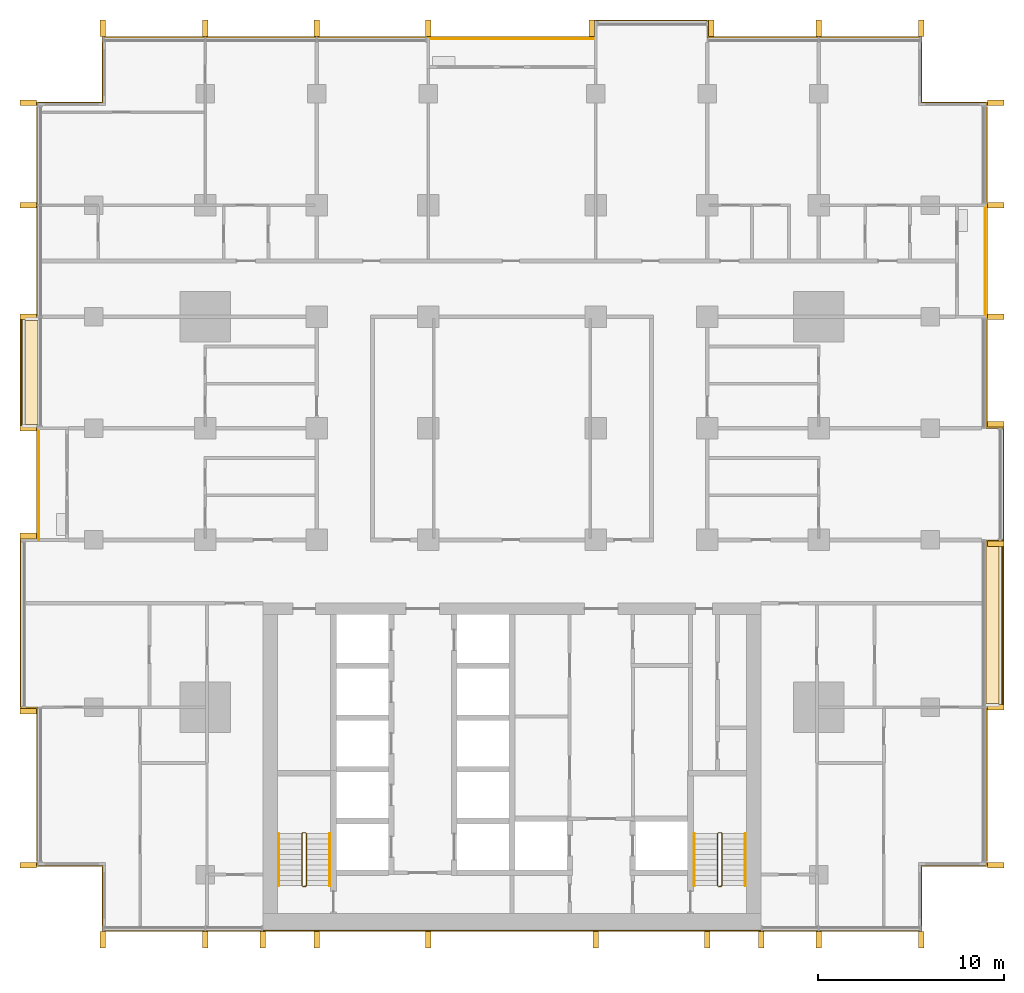
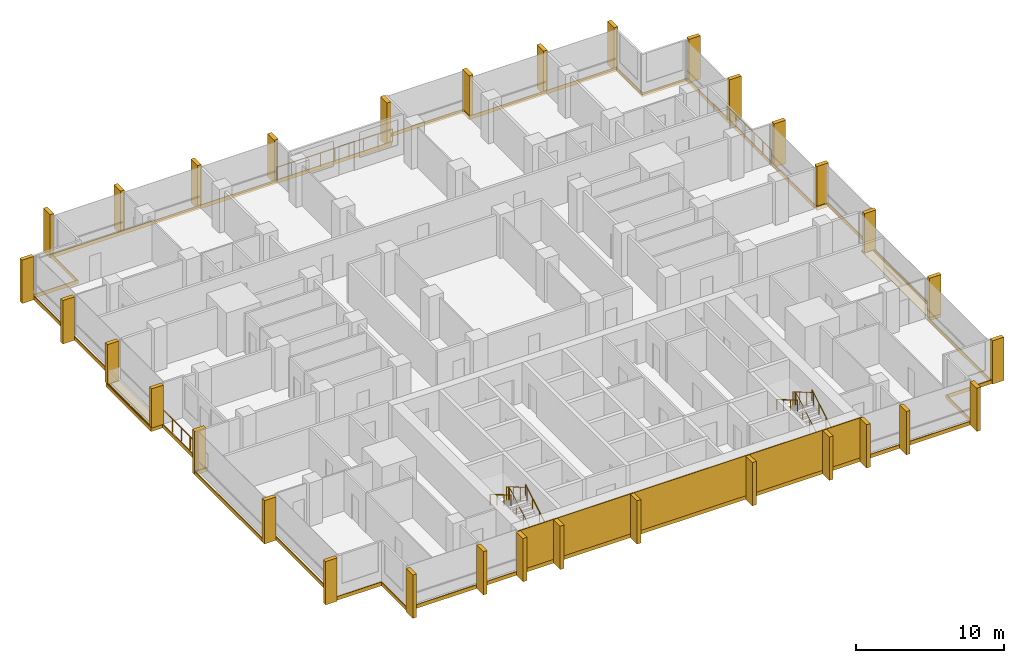
# One storey, part 17 of 17: 32 shading devices, 10 coverings, 9 railings.
"""IFC4 building model written with IfcOpenShell, lengths in metres."""

from ifc_helpers import new_model, si_unit, direction, frame, origin, origin_2d, place, context, subcontext, project, spatial, polyline, rectangle, circle, outline, extrude, material, layer, layer_set, type_object, element, save


model = new_model("IFC4")

# Units and contexts
model_context = context("Model", 3, precision=1e-05, world=origin(), true_north=direction((0.0, 1.0)))
body_context = subcontext(model_context, "Body", "Model", "MODEL_VIEW")
ifc_project = project(units=[si_unit("LENGTHUNIT", "METRE"), si_unit("AREAUNIT", "SQUARE_METRE"), si_unit("VOLUMEUNIT", "CUBIC_METRE"), si_unit("PLANEANGLEUNIT", "RADIAN"), si_unit("MASSUNIT", "GRAM", prefix="KILO")], contexts=[model_context])

# Site, building, storey
site_placement = place(None, origin())
site = spatial("IfcSite", under=ifc_project, at=site_placement, CompositionType="ELEMENT")
building_placement = place(site_placement, origin())
building = spatial("IfcBuilding", under=site, at=building_placement, Name="Finial Court Residences", CompositionType="ELEMENT")
storey_placement = place(building_placement, frame((0.0, 0.0, 113.5)))
storey = spatial("IfcBuildingStorey", under=building, at=storey_placement, Name="L28", CompositionType="ELEMENT", Elevation=113.5)

# Railings
ifc_material_1 = material(Name="Bronze anodised aluminium", Category="aluminium")
railing_type_1 = type_object("IfcRailingType", Name="Balcony guard 1100", PredefinedType="GUARDRAIL", material=ifc_material_1)
railing_1_placement = place(storey_placement, frame((-4.5, 22.449951171875, 0.0)))
element("IfcRailing", 1, at=railing_1_placement, inside=storey, type_object=railing_type_1, Name="E-L28-BALN4-R", PredefinedType="GUARDRAIL", context=body_context, shape_type="SweptSolid", body=[
    extrude(circle(Radius=0.02392578125, at=origin_2d()), frame((0.0, 0.0, 1.076171875), z_axis=(1.0, 0.0, 0.0), x_axis=(0.0, 1.0, 0.0)), (0.0, 0.0, 1.0), 9.0),
    extrude(circle(Radius=0.02099609375, at=origin_2d()), origin(), (0.0, 0.0, 1.0), 1.052001953125),
    extrude(circle(Radius=0.02099609375, at=origin_2d()), frame((1.125, 0.0, 0.0)), (0.0, 0.0, 1.0), 1.052001953125),
    extrude(circle(Radius=0.02099609375, at=origin_2d()), frame((2.25, 0.0, 0.0)), (0.0, 0.0, 1.0), 1.052001953125),
    extrude(circle(Radius=0.02099609375, at=origin_2d()), frame((3.375, 0.0, 0.0)), (0.0, 0.0, 1.0), 1.052001953125),
    extrude(circle(Radius=0.02099609375, at=origin_2d()), frame((4.5, 0.0, 0.0)), (0.0, 0.0, 1.0), 1.052001953125),
    extrude(circle(Radius=0.02099609375, at=origin_2d()), frame((5.625, 0.0, 0.0)), (0.0, 0.0, 1.0), 1.052001953125),
    extrude(circle(Radius=0.02099609375, at=origin_2d()), frame((6.75, 0.0, 0.0)), (0.0, 0.0, 1.0), 1.052001953125),
    extrude(circle(Radius=0.02099609375, at=origin_2d()), frame((7.875, 0.0, 0.0)), (0.0, 0.0, 1.0), 1.052001953125),
    extrude(circle(Radius=0.02099609375, at=origin_2d()), frame((9.0, 0.0, 0.0)), (0.0, 0.0, 1.0), 1.052001953125),
])
for number, where, name in (
    (2, (25.449951171875, 7.5, 0.0), "E-L28-BALE5-R"),
    (3, (-25.449951171875, -4.5, 0.0), "E-L28-BALW3-R"),
):
    element("IfcRailing", number, at=place(storey_placement, frame(where)), inside=storey, type_object=railing_type_1, Name=name, PredefinedType="GUARDRAIL", context=body_context, shape_type="SweptSolid", body=[
        extrude(circle(Radius=0.02392578125, at=origin_2d()), frame((0.0, 0.0, 1.076171875), z_axis=(0.0, 1.0, 0.0), x_axis=(-1.0, 0.0, 0.0)), (0.0, 0.0, 1.0), 6.0),
        extrude(circle(Radius=0.02099609375, at=origin_2d()), origin(), (0.0, 0.0, 1.0), 1.052001953125),
        extrude(circle(Radius=0.02099609375, at=origin_2d()), frame((0.0, 1.199951171875, 0.0)), (0.0, 0.0, 1.0), 1.052001953125),
        extrude(circle(Radius=0.02099609375, at=origin_2d()), frame((0.0, 2.39990234375, 0.0)), (0.0, 0.0, 1.0), 1.052001953125),
        extrude(circle(Radius=0.02099609375, at=origin_2d()), frame((0.0, 3.60009765625, 0.0)), (0.0, 0.0, 1.0), 1.052001953125),
        extrude(circle(Radius=0.02099609375, at=origin_2d()), frame((0.0, 4.800048828125, 0.0)), (0.0, 0.0, 1.0), 1.052001953125),
        extrude(circle(Radius=0.02099609375, at=origin_2d()), frame((0.0, 6.0, 0.0)), (0.0, 0.0, 1.0), 1.052001953125),
    ])

# Coverings
ifc_material_2 = material(Name="Natural limestone", Category="masonry")
ifc_layer_1 = layer(ifc_material_2, 0.06005859375)
ifc_layer_set_1 = layer_set([ifc_layer_1], Name="Limestone cladding to the blind core face 60")
covering_type_1 = type_object("IfcCoveringType", Name="Limestone cladding to the blind core face 60", PredefinedType="CLADDING", material=ifc_layer_set_1)
covering_1_placement = place(storey_placement, origin())
element("IfcCovering", 4, at=covering_1_placement, inside=storey, type_object=covering_type_1, Name="E-L28-CLAD1", PredefinedType="CLADDING", context=body_context, shape_type="SweptSolid", body=[
    extrude(outline(polyline([(-10.5, -25.56005859375), (-10.5, -25.5), (-13.39990234375, -25.5), (-13.39990234375, -25.56005859375), (-10.5, -25.56005859375)])), origin(), (0.0, 0.0, 1.0), 3.300048828125),
])
covering_2_placement = place(storey_placement, origin())
element("IfcCovering", 5, at=covering_2_placement, inside=storey, type_object=covering_type_1, Name="E-L28-CLAD2", PredefinedType="CLADDING", context=body_context, shape_type="SweptSolid", body=[
    extrude(outline(polyline([(-4.5, -25.56005859375), (-4.5, -25.5), (-10.5, -25.5), (-10.5, -25.56005859375), (-4.5, -25.56005859375)])), origin(), (0.0, 0.0, 1.0), 3.300048828125),
])
covering_3_placement = place(storey_placement, origin())
element("IfcCovering", 6, at=covering_3_placement, inside=storey, type_object=covering_type_1, Name="E-L28-CLAD3", PredefinedType="CLADDING", context=body_context, shape_type="SweptSolid", body=[
    extrude(outline(polyline([(4.5, -25.56005859375), (4.5, -25.5), (-4.5, -25.5), (-4.5, -25.56005859375), (4.5, -25.56005859375)])), origin(), (0.0, 0.0, 1.0), 3.300048828125),
])
covering_4_placement = place(storey_placement, origin())
element("IfcCovering", 7, at=covering_4_placement, inside=storey, type_object=covering_type_1, Name="E-L28-CLAD4", PredefinedType="CLADDING", context=body_context, shape_type="SweptSolid", body=[
    extrude(outline(polyline([(10.5, -25.56005859375), (10.5, -25.5), (4.5, -25.5), (4.5, -25.56005859375), (10.5, -25.56005859375)])), origin(), (0.0, 0.0, 1.0), 3.300048828125),
])
covering_5_placement = place(storey_placement, origin())
element("IfcCovering", 8, at=covering_5_placement, inside=storey, type_object=covering_type_1, Name="E-L28-CLAD5", PredefinedType="CLADDING", context=body_context, shape_type="SweptSolid", body=[
    extrude(outline(polyline([(13.39990234375, -25.56005859375), (13.39990234375, -25.5), (10.5, -25.5), (10.5, -25.56005859375), (13.39990234375, -25.56005859375)])), origin(), (0.0, 0.0, 1.0), 3.300048828125),
])

# Shading devices
shading_device_type = type_object("IfcShadingDeviceType", Name="Limestone fin 300 x 900", PredefinedType="USERDEFINED", material=ifc_material_2)
for number, where, z_axis, x_axis, name in (
    (9, (-22.0, 23.010009765625, -0.300048828125), (0.0, 0.0, 1.0), (1.0, 0.0, 0.0), "E-L28-FIN-N1"),
    (10, (-16.5, 23.010009765625, -0.300048828125), (0.0, 0.0, 1.0), (1.0, 0.0, 0.0), "E-L28-FIN-N2"),
    (11, (-10.5, 23.010009765625, -0.300048828125), (0.0, 0.0, 1.0), (1.0, 0.0, 0.0), "E-L28-FIN-N3"),
    (12, (-4.5, 23.010009765625, -0.300048828125), (0.0, 0.0, 1.0), (1.0, 0.0, 0.0), "E-L28-FIN-N4"),
    (13, (4.2900390625, 23.010009765625, -0.300048828125), (0.0, 0.0, 1.0), (1.0, 0.0, 0.0), "E-L28-FIN-N5"),
    (14, (10.7099609375, 23.010009765625, -0.300048828125), (0.0, 0.0, 1.0), (1.0, 0.0, 0.0), "E-L28-FIN-N6"),
    (15, (16.5, 23.010009765625, -0.300048828125), (0.0, 0.0, 1.0), (1.0, 0.0, 0.0), "E-L28-FIN-N7"),
    (16, (22.0, 23.010009765625, -0.300048828125), (0.0, 0.0, 1.0), (1.0, 0.0, 0.0), "E-L28-FIN-N8"),
):
    element("IfcShadingDevice", number, at=place(storey_placement, frame(where, z_axis=z_axis, x_axis=x_axis)), inside=storey, type_object=shading_device_type, Name=name, ObjectType="FIN", PredefinedType="USERDEFINED", context=body_context, shape_type="SweptSolid", body=[
        extrude(rectangle(XDim=0.300048828125, YDim=0.89990234375, at=origin_2d()), origin(), (0.0, 0.0, 1.0), 3.580078125),
    ])
shading_device_placement = place(storey_placement, frame((26.010009765625, -22.0, -0.300048828125), z_axis=(0.0, 0.0, 1.0), x_axis=(1.0, 0.0, 0.0)))
element("IfcShadingDevice", 17, at=shading_device_placement, inside=storey, type_object=shading_device_type, Name="E-L28-FIN-E9", ObjectType="FIN", PredefinedType="USERDEFINED", context=body_context, shape_type="SweptSolid", body=[
    extrude(rectangle(XDim=0.89990234375, YDim=0.300048828125, at=origin_2d()), origin(), (0.0, 0.0, 1.0), 3.580078125),
])
for number, where, z_axis, x_axis, name in (
    (18, (26.010009765625, -13.5, 0.0400390625), (0.0, 0.0, 1.0), (1.0, 0.0, 0.0), "E-L28-FIN-E10"),
    (19, (26.010009765625, -4.7099609375, 0.0400390625), (0.0, 0.0, 1.0), (1.0, 0.0, 0.0), "E-L28-FIN-E11"),
):
    element("IfcShadingDevice", number, at=place(storey_placement, frame(where, z_axis=z_axis, x_axis=x_axis)), inside=storey, type_object=shading_device_type, Name=name, ObjectType="FIN", PredefinedType="USERDEFINED", context=body_context, shape_type="SweptSolid", body=[
        extrude(rectangle(XDim=0.89990234375, YDim=0.300048828125, at=origin_2d()), origin(), (0.0, 0.0, 1.0), 3.239990234375),
    ])
for number, where, z_axis, x_axis, name in (
    (20, (26.010009765625, 1.7099609375, -0.300048828125), (0.0, 0.0, 1.0), (1.0, 0.0, 0.0), "E-L28-FIN-E12"),
    (21, (26.010009765625, 7.5, -0.300048828125), (0.0, 0.0, 1.0), (1.0, 0.0, 0.0), "E-L28-FIN-E13"),
    (22, (26.010009765625, 13.5, -0.300048828125), (0.0, 0.0, 1.0), (1.0, 0.0, 0.0), "E-L28-FIN-E14"),
    (23, (26.010009765625, 19.0, -0.300048828125), (0.0, 0.0, 1.0), (1.0, 0.0, 0.0), "E-L28-FIN-E15"),
):
    element("IfcShadingDevice", number, at=place(storey_placement, frame(where, z_axis=z_axis, x_axis=x_axis)), inside=storey, type_object=shading_device_type, Name=name, ObjectType="FIN", PredefinedType="USERDEFINED", context=body_context, shape_type="SweptSolid", body=[
        extrude(rectangle(XDim=0.89990234375, YDim=0.300048828125, at=origin_2d()), origin(), (0.0, 0.0, 1.0), 3.580078125),
    ])
for number, where, z_axis, x_axis, name in (
    (24, (-22.0, -26.010009765625, -0.300048828125), (0.0, 0.0, 1.0), (1.0, 0.0, 0.0), "E-L28-FIN-S16"),
    (25, (-16.5, -26.010009765625, -0.300048828125), (0.0, 0.0, 1.0), (1.0, 0.0, 0.0), "E-L28-FIN-S17"),
    (26, (-13.39990234375, -26.010009765625, -0.300048828125), (0.0, 0.0, 1.0), (1.0, 0.0, 0.0), "E-L28-FIN-S18"),
    (27, (-10.5, -26.010009765625, -0.300048828125), (0.0, 0.0, 1.0), (1.0, 0.0, 0.0), "E-L28-FIN-S19"),
    (28, (-4.5, -26.010009765625, -0.300048828125), (0.0, 0.0, 1.0), (1.0, 0.0, 0.0), "E-L28-FIN-S20"),
    (29, (4.5, -26.010009765625, -0.300048828125), (0.0, 0.0, 1.0), (1.0, 0.0, 0.0), "E-L28-FIN-S21"),
    (30, (10.5, -26.010009765625, -0.300048828125), (0.0, 0.0, 1.0), (1.0, 0.0, 0.0), "E-L28-FIN-S22"),
    (31, (13.39990234375, -26.010009765625, -0.300048828125), (0.0, 0.0, 1.0), (1.0, 0.0, 0.0), "E-L28-FIN-S23"),
    (32, (16.5, -26.010009765625, -0.300048828125), (0.0, 0.0, 1.0), (1.0, 0.0, 0.0), "E-L28-FIN-S24"),
    (33, (22.0, -26.010009765625, -0.300048828125), (0.0, 0.0, 1.0), (1.0, 0.0, 0.0), "E-L28-FIN-S25"),
):
    element("IfcShadingDevice", number, at=place(storey_placement, frame(where, z_axis=z_axis, x_axis=x_axis)), inside=storey, type_object=shading_device_type, Name=name, ObjectType="FIN", PredefinedType="USERDEFINED", context=body_context, shape_type="SweptSolid", body=[
        extrude(rectangle(XDim=0.300048828125, YDim=0.89990234375, at=origin_2d()), origin(), (0.0, 0.0, 1.0), 3.580078125),
    ])
for number, where, z_axis, x_axis, name in (
    (34, (-26.010009765625, -22.0, -0.300048828125), (0.0, 0.0, 1.0), (1.0, 0.0, 0.0), "E-L28-FIN-W26"),
    (35, (-26.010009765625, -13.7099609375, -0.300048828125), (0.0, 0.0, 1.0), (1.0, 0.0, 0.0), "E-L28-FIN-W27"),
    (36, (-26.010009765625, -4.2900390625, -0.300048828125), (0.0, 0.0, 1.0), (1.0, 0.0, 0.0), "E-L28-FIN-W28"),
):
    element("IfcShadingDevice", number, at=place(storey_placement, frame(where, z_axis=z_axis, x_axis=x_axis)), inside=storey, type_object=shading_device_type, Name=name, ObjectType="FIN", PredefinedType="USERDEFINED", context=body_context, shape_type="SweptSolid", body=[
        extrude(rectangle(XDim=0.89990234375, YDim=0.300048828125, at=origin_2d()), origin(), (0.0, 0.0, 1.0), 3.580078125),
    ])
for number, where, z_axis, x_axis, name in (
    (37, (-26.010009765625, 1.5, 0.0400390625), (0.0, 0.0, 1.0), (1.0, 0.0, 0.0), "E-L28-FIN-W29"),
    (38, (-26.010009765625, 7.5, 0.0400390625), (0.0, 0.0, 1.0), (1.0, 0.0, 0.0), "E-L28-FIN-W30"),
):
    element("IfcShadingDevice", number, at=place(storey_placement, frame(where, z_axis=z_axis, x_axis=x_axis)), inside=storey, type_object=shading_device_type, Name=name, ObjectType="FIN", PredefinedType="USERDEFINED", context=body_context, shape_type="SweptSolid", body=[
        extrude(rectangle(XDim=0.89990234375, YDim=0.300048828125, at=origin_2d()), origin(), (0.0, 0.0, 1.0), 3.239990234375),
    ])
for number, where, z_axis, x_axis, name in (
    (39, (-26.010009765625, 13.5, -0.300048828125), (0.0, 0.0, 1.0), (1.0, 0.0, 0.0), "E-L28-FIN-W31"),
    (40, (-26.010009765625, 19.0, -0.300048828125), (0.0, 0.0, 1.0), (1.0, 0.0, 0.0), "E-L28-FIN-W32"),
):
    element("IfcShadingDevice", number, at=place(storey_placement, frame(where, z_axis=z_axis, x_axis=x_axis)), inside=storey, type_object=shading_device_type, Name=name, ObjectType="FIN", PredefinedType="USERDEFINED", context=body_context, shape_type="SweptSolid", body=[
        extrude(rectangle(XDim=0.89990234375, YDim=0.300048828125, at=origin_2d()), origin(), (0.0, 0.0, 1.0), 3.580078125),
    ])

# Coverings
ifc_material_3 = material(Name="Pale limestone", Category="masonry")
ifc_layer_2 = layer(ifc_material_3, 0.06005859375)
ifc_layer_set_2 = layer_set([ifc_layer_2], Name="Pale limestone slab-edge band 60")
covering_type_2 = type_object("IfcCoveringType", Name="Pale limestone slab-edge band 60", PredefinedType="CLADDING", material=ifc_layer_set_2)
covering_6_placement = place(storey_placement, frame((0.0, 0.0, -0.300048828125)))
element("IfcCovering", 41, at=covering_6_placement, inside=storey, type_object=covering_type_2, Name="E-L28-BAND1", PredefinedType="CLADDING", context=body_context, shape_type="SweptSolid", body=[
    extrude(outline(polyline([(22.06005859375, -22.06005859375), (22.06005859375, -25.56005859375), (-22.06005859375, -25.56005859375), (-22.06005859375, -22.06005859375), (-25.56005859375, -22.06005859375), (-25.56005859375, -13.56005859375), (-26.4599609375, -13.56005859375), (-26.4599609375, -4.43994140625), (-25.56005859375, -4.43994140625), (-25.56005859375, 1.43994140625), (-26.4599609375, 1.43994140625), (-26.4599609375, 7.56005859375), (-25.56005859375, 7.56005859375), (-25.56005859375, 19.06005859375), (-22.06005859375, 19.06005859375), (-22.06005859375, 22.56005859375), (4.43994140625, 22.56005859375), (4.43994140625, 23.4599609375), (10.56005859375, 23.4599609375), (10.56005859375, 22.56005859375), (22.06005859375, 22.56005859375), (22.06005859375, 19.06005859375), (25.56005859375, 19.06005859375), (25.56005859375, 1.56005859375), (26.4599609375, 1.56005859375), (26.4599609375, -13.56005859375), (25.56005859375, -13.56005859375), (25.56005859375, -22.06005859375), (22.06005859375, -22.06005859375)]), holes=[polyline([(25.5, -13.5), (26.39990234375, -13.5), (26.39990234375, -4.5), (26.39990234375, 1.5), (25.5, 1.5), (25.5, 7.5), (25.5, 13.5), (25.5, 19.0), (22.0, 19.0), (22.0, 22.5), (10.5, 22.5), (10.5, 23.39990234375), (4.5, 23.39990234375), (4.5, 22.5), (-4.5, 22.5), (-22.0, 22.5), (-22.0, 19.0), (-25.5, 19.0), (-25.5, 7.5), (-26.39990234375, 7.5), (-26.39990234375, 1.5), (-25.5, 1.5), (-25.5, -4.5), (-26.39990234375, -4.5), (-26.39990234375, -13.5), (-25.5, -13.5), (-25.5, -22.0), (-22.0, -22.0), (-22.0, -25.5), (22.0, -25.5), (22.0, -22.0), (25.5, -22.0), (25.5, -13.5)])]), origin(), (0.0, 0.0, 1.0), 0.300048828125),
])
ifc_material_4 = material(Name="Bitumen membrane")
ifc_layer_3 = layer(ifc_material_4, 0.0400390625)
ifc_layer_set_3 = layer_set([ifc_layer_3], Name="Push box roofing, bitumen membrane 40")
covering_type_3 = type_object("IfcCoveringType", Name="Push box roofing, bitumen membrane 40", PredefinedType="ROOFING", material=ifc_layer_set_3)
covering_7_placement = place(storey_placement, origin())
element("IfcCovering", 42, at=covering_7_placement, inside=storey, type_object=covering_type_3, Name="E-L28-LED1", PredefinedType="ROOFING", context=body_context, shape_type="SweptSolid", body=[
    extrude(outline(polyline([(-25.5, 7.449951171875), (-26.199951171875, 7.449951171875), (-26.35009765625, 7.449951171875), (-26.35009765625, 1.699951171875), (-26.35009765625, 1.699951171875), (-26.35009765625, 1.550048828125), (-25.5, 1.550048828125), (-25.5, 1.5), (-26.39990234375, 1.5), (-26.39990234375, 7.5), (-25.5, 7.5), (-25.5, 7.449951171875)])), origin(), (0.0, 0.0, 1.0), 0.0400390625),
])
covering_8_placement = place(storey_placement, origin())
element("IfcCovering", 43, at=covering_8_placement, inside=storey, type_object=covering_type_3, Name="E-L28-LED1b", PredefinedType="ROOFING", context=body_context, shape_type="SweptSolid", body=[
    extrude(outline(polyline([(-25.5, 1.699951171875), (-26.199951171875, 1.699951171875), (-26.199951171875, 7.300048828125), (-25.5, 7.300048828125), (-25.5, 1.699951171875)])), origin(), (0.0, 0.0, 1.0), 0.0400390625),
])
covering_9_placement = place(storey_placement, origin())
element("IfcCovering", 44, at=covering_9_placement, inside=storey, type_object=covering_type_3, Name="E-L28-LED2", PredefinedType="ROOFING", context=body_context, shape_type="SweptSolid", body=[
    extrude(outline(polyline([(25.5, -13.449951171875), (26.199951171875, -13.449951171875), (26.35009765625, -13.449951171875), (26.35009765625, -4.5), (26.39990234375, -4.5), (26.39990234375, -13.5), (25.5, -13.5), (25.5, -13.449951171875)])), origin(), (0.0, 0.0, 1.0), 0.0400390625),
])
covering_10_placement = place(storey_placement, origin())
element("IfcCovering", 45, at=covering_10_placement, inside=storey, type_object=covering_type_3, Name="E-L28-LED2b", PredefinedType="ROOFING", context=body_context, shape_type="SweptSolid", body=[
    extrude(outline(polyline([(25.5, -4.5), (26.199951171875, -4.5), (26.199951171875, -13.300048828125), (25.5, -13.300048828125), (25.5, -4.5)])), origin(), (0.0, 0.0, 1.0), 0.0400390625),
])

# Railings
ifc_material_5 = material(Name="Stainless steel railing", Category="steel")
railing_type_2 = type_object("IfcRailingType", Name="Stair guard 1100", PredefinedType="GUARDRAIL", material=ifc_material_5)
railing_2_placement = place(storey_placement, frame((-11.10009765625, -23.14990234375, 0.0)))
element("IfcRailing", 46, at=railing_2_placement, inside=storey, type_object=railing_type_2, Name="L28 ST-1 stair guard 1", PredefinedType="GUARDRAIL", context=body_context, shape_type="SweptSolid", body=[
    extrude(circle(Radius=0.02392578125, at=origin_2d()), frame((0.0, 0.0, 1.076171875), z_axis=(-1.0, 0.0, 0.0), x_axis=(0.0, -1.0, 0.0)), (0.0, 0.0, 1.0), 0.14990234375),
    extrude(circle(Radius=0.02392578125, at=origin_2d()), frame((-0.14990234375, 0.0, 1.076171875), z_axis=(0.760004195007, 0.189305074214, 0.621737253547), x_axis=(-0.241699205484, 0.970351222016, 0.0)), (0.0, 0.0, 1.0), 0.26318359375),
    extrude(circle(Radius=0.02392578125, at=origin_2d()), frame((0.050048828125, 0.0498046875, 1.23974609375), z_axis=(0.0, 0.863360870873, 0.504586966384), x_axis=(-1.0, 0.0, 0.0)), (0.0, 0.0, 1.0), 3.2431640625),
    extrude(circle(Radius=0.02392578125, at=origin_2d()), frame((0.050048828125, 2.849853515625, 2.8759765625), z_axis=(-0.707106781187, 0.707106781187, 0.0), x_axis=(-0.707106781187, -0.707106781187, 0.0)), (0.0, 0.0, 1.0), 0.07080078125),
    extrude(circle(Radius=0.02392578125, at=origin_2d()), frame((0.0, 2.89990234375, 2.8759765625), z_axis=(-1.0, 0.0, 0.0), x_axis=(0.0, -1.0, 0.0)), (0.0, 0.0, 1.0), 0.14990234375),
    extrude(circle(Radius=0.02392578125, at=origin_2d()), frame((-0.14990234375, 2.89990234375, 2.8759765625), z_axis=(-0.280808744504, -0.280808744504, 0.917765164963), x_axis=(0.707106781187, -0.707106781187, 0.0)), (0.0, 0.0, 1.0), 0.17822265625),
    extrude(circle(Radius=0.02392578125, at=origin_2d()), frame((-0.199951171875, 2.849853515625, 3.03955078125), z_axis=(0.0, -0.863360870873, 0.504586966384), x_axis=(1.0, 0.0, 0.0)), (0.0, 0.0, 1.0), 3.2431640625),
    extrude(circle(Radius=0.02099609375, at=origin_2d()), origin(), (0.0, 0.0, 1.0), 1.052001953125),
    extrude(circle(Radius=0.02099609375, at=origin_2d()), frame((-0.14990234375, 0.0, 0.0)), (0.0, 0.0, 1.0), 1.052001953125),
    extrude(circle(Radius=0.02099609375, at=origin_2d()), frame((0.050048828125, 0.0498046875, 0.16357421875)), (0.0, 0.0, 1.0), 1.052001953125),
    extrude(circle(Radius=0.02099609375, at=origin_2d()), frame((0.050048828125, 0.983154296875, 0.708984375)), (0.0, 0.0, 1.0), 1.052001953125),
    extrude(circle(Radius=0.02099609375, at=origin_2d()), frame((0.050048828125, 1.91650390625, 1.254638671875)), (0.0, 0.0, 1.0), 1.052001953125),
    extrude(circle(Radius=0.02099609375, at=origin_2d()), frame((0.050048828125, 2.849853515625, 1.800048828125)), (0.0, 0.0, 1.0), 1.052001953125),
    extrude(circle(Radius=0.02099609375, at=origin_2d()), frame((0.0, 2.89990234375, 1.800048828125)), (0.0, 0.0, 1.0), 1.052001953125),
    extrude(circle(Radius=0.02099609375, at=origin_2d()), frame((-0.14990234375, 2.89990234375, 1.800048828125)), (0.0, 0.0, 1.0), 1.052001953125),
    extrude(circle(Radius=0.02099609375, at=origin_2d()), frame((-0.199951171875, 2.849853515625, 1.963623046875)), (0.0, 0.0, 1.0), 1.052001953125),
    extrude(circle(Radius=0.02099609375, at=origin_2d()), frame((-0.199951171875, 1.91650390625, 2.509033203125)), (0.0, 0.0, 1.0), 1.052001953125),
    extrude(circle(Radius=0.02099609375, at=origin_2d()), frame((-0.199951171875, 0.983154296875, 3.0546875)), (0.0, 0.0, 1.0), 1.052001953125),
    extrude(circle(Radius=0.02099609375, at=origin_2d()), frame((-0.199951171875, 0.0498046875, 3.60009765625)), (0.0, 0.0, 1.0), 1.052001953125),
])
railing_3_placement = place(storey_placement, frame((11.25, -23.14990234375, 0.0)))
element("IfcRailing", 47, at=railing_3_placement, inside=storey, type_object=railing_type_2, Name="L28 ST-2 stair guard 1", PredefinedType="GUARDRAIL", context=body_context, shape_type="SweptSolid", body=[
    extrude(circle(Radius=0.02392578125, at=origin_2d()), frame((0.0, 0.0, 1.076171875), z_axis=(-1.0, 0.0, 0.0), x_axis=(0.0, -1.0, 0.0)), (0.0, 0.0, 1.0), 0.14990234375),
    extrude(circle(Radius=0.02392578125, at=origin_2d()), frame((-0.14990234375, 0.0, 1.076171875), z_axis=(0.760004195007, 0.189305074214, 0.621737253547), x_axis=(-0.241699205484, 0.970351222016, 0.0)), (0.0, 0.0, 1.0), 0.26318359375),
    extrude(circle(Radius=0.02392578125, at=origin_2d()), frame((0.050048828125, 0.0498046875, 1.23974609375), z_axis=(0.0, 0.863360870873, 0.504586966384), x_axis=(-1.0, 0.0, 0.0)), (0.0, 0.0, 1.0), 3.2431640625),
    extrude(circle(Radius=0.02392578125, at=origin_2d()), frame((0.050048828125, 2.849853515625, 2.8759765625), z_axis=(-0.707106781187, 0.707106781187, 0.0), x_axis=(-0.707106781187, -0.707106781187, 0.0)), (0.0, 0.0, 1.0), 0.07080078125),
    extrude(circle(Radius=0.02392578125, at=origin_2d()), frame((0.0, 2.89990234375, 2.8759765625), z_axis=(-1.0, 0.0, 0.0), x_axis=(0.0, -1.0, 0.0)), (0.0, 0.0, 1.0), 0.14990234375),
    extrude(circle(Radius=0.02392578125, at=origin_2d()), frame((-0.14990234375, 2.89990234375, 2.8759765625), z_axis=(-0.280808744504, -0.280808744504, 0.917765164963), x_axis=(0.707106781187, -0.707106781187, 0.0)), (0.0, 0.0, 1.0), 0.17822265625),
    extrude(circle(Radius=0.02392578125, at=origin_2d()), frame((-0.199951171875, 2.849853515625, 3.03955078125), z_axis=(0.0, -0.863360870873, 0.504586966384), x_axis=(1.0, 0.0, 0.0)), (0.0, 0.0, 1.0), 3.2431640625),
    extrude(circle(Radius=0.02099609375, at=origin_2d()), origin(), (0.0, 0.0, 1.0), 1.052001953125),
    extrude(circle(Radius=0.02099609375, at=origin_2d()), frame((-0.14990234375, 0.0, 0.0)), (0.0, 0.0, 1.0), 1.052001953125),
    extrude(circle(Radius=0.02099609375, at=origin_2d()), frame((0.050048828125, 0.0498046875, 0.16357421875)), (0.0, 0.0, 1.0), 1.052001953125),
    extrude(circle(Radius=0.02099609375, at=origin_2d()), frame((0.050048828125, 0.983154296875, 0.708984375)), (0.0, 0.0, 1.0), 1.052001953125),
    extrude(circle(Radius=0.02099609375, at=origin_2d()), frame((0.050048828125, 1.91650390625, 1.254638671875)), (0.0, 0.0, 1.0), 1.052001953125),
    extrude(circle(Radius=0.02099609375, at=origin_2d()), frame((0.050048828125, 2.849853515625, 1.800048828125)), (0.0, 0.0, 1.0), 1.052001953125),
    extrude(circle(Radius=0.02099609375, at=origin_2d()), frame((0.0, 2.89990234375, 1.800048828125)), (0.0, 0.0, 1.0), 1.052001953125),
    extrude(circle(Radius=0.02099609375, at=origin_2d()), frame((-0.14990234375, 2.89990234375, 1.800048828125)), (0.0, 0.0, 1.0), 1.052001953125),
    extrude(circle(Radius=0.02099609375, at=origin_2d()), frame((-0.199951171875, 2.849853515625, 1.963623046875)), (0.0, 0.0, 1.0), 1.052001953125),
    extrude(circle(Radius=0.02099609375, at=origin_2d()), frame((-0.199951171875, 1.91650390625, 2.509033203125)), (0.0, 0.0, 1.0), 1.052001953125),
    extrude(circle(Radius=0.02099609375, at=origin_2d()), frame((-0.199951171875, 0.983154296875, 3.0546875)), (0.0, 0.0, 1.0), 1.052001953125),
    extrude(circle(Radius=0.02099609375, at=origin_2d()), frame((-0.199951171875, 0.0498046875, 3.60009765625)), (0.0, 0.0, 1.0), 1.052001953125),
])
railing_type_3 = type_object("IfcRailingType", Name="Stair handrail 900", PredefinedType="HANDRAIL", material=ifc_material_5)
railing_4_placement = place(storey_placement, frame((-9.800048828125, -23.10009765625, 0.16357421875)))
element("IfcRailing", 48, at=railing_4_placement, inside=storey, type_object=railing_type_3, Name="L28 ST-1 stair handrail 1", PredefinedType="HANDRAIL", context=body_context, shape_type="SweptSolid", body=[
    extrude(circle(Radius=0.02392578125, at=origin_2d()), frame((0.0, 0.0, 0.8759765625), z_axis=(0.0, 0.863360870873, 0.504586966384), x_axis=(-1.0, 0.0, 0.0)), (0.0, 0.0, 1.0), 3.2431640625),
    extrude(circle(Radius=0.02099609375, at=origin_2d()), origin(), (0.0, 0.0, 1.0), 0.851806640625),
    extrude(circle(Radius=0.02099609375, at=origin_2d()), frame((0.0, 0.933349609375, 0.54541015625)), (0.0, 0.0, 1.0), 0.851806640625),
    extrude(circle(Radius=0.02099609375, at=origin_2d()), frame((0.0, 1.86669921875, 1.091064453125)), (0.0, 0.0, 1.0), 0.851806640625),
    extrude(circle(Radius=0.02099609375, at=origin_2d()), frame((0.0, 2.800048828125, 1.636474609375)), (0.0, 0.0, 1.0), 0.851806640625),
])
railing_5_placement = place(storey_placement, frame((-12.550048828125, -20.300048828125, 1.963623046875)))
element("IfcRailing", 49, at=railing_5_placement, inside=storey, type_object=railing_type_3, Name="L28 ST-1 stair handrail 2", PredefinedType="HANDRAIL", context=body_context, shape_type="SweptSolid", body=[
    extrude(circle(Radius=0.02392578125, at=origin_2d()), frame((0.0, 0.0, 0.8759765625), z_axis=(0.0, -0.863360870873, 0.504586966384), x_axis=(1.0, 0.0, 0.0)), (0.0, 0.0, 1.0), 3.2431640625),
    extrude(circle(Radius=0.02099609375, at=origin_2d()), origin(), (0.0, 0.0, 1.0), 0.851806640625),
    extrude(circle(Radius=0.02099609375, at=origin_2d()), frame((0.0, -0.933349609375, 0.54541015625)), (0.0, 0.0, 1.0), 0.851806640625),
    extrude(circle(Radius=0.02099609375, at=origin_2d()), frame((0.0, -1.86669921875, 1.091064453125)), (0.0, 0.0, 1.0), 0.851806640625),
    extrude(circle(Radius=0.02099609375, at=origin_2d()), frame((0.0, -2.800048828125, 1.636474609375)), (0.0, 0.0, 1.0), 0.851806640625),
])
railing_6_placement = place(storey_placement, frame((12.550048828125, -23.10009765625, 0.16357421875)))
element("IfcRailing", 50, at=railing_6_placement, inside=storey, type_object=railing_type_3, Name="L28 ST-2 stair handrail 1", PredefinedType="HANDRAIL", context=body_context, shape_type="SweptSolid", body=[
    extrude(circle(Radius=0.02392578125, at=origin_2d()), frame((0.0, 0.0, 0.8759765625), z_axis=(0.0, 0.863360870873, 0.504586966384), x_axis=(-1.0, 0.0, 0.0)), (0.0, 0.0, 1.0), 3.2431640625),
    extrude(circle(Radius=0.02099609375, at=origin_2d()), origin(), (0.0, 0.0, 1.0), 0.851806640625),
    extrude(circle(Radius=0.02099609375, at=origin_2d()), frame((0.0, 0.933349609375, 0.54541015625)), (0.0, 0.0, 1.0), 0.851806640625),
    extrude(circle(Radius=0.02099609375, at=origin_2d()), frame((0.0, 1.86669921875, 1.091064453125)), (0.0, 0.0, 1.0), 0.851806640625),
    extrude(circle(Radius=0.02099609375, at=origin_2d()), frame((0.0, 2.800048828125, 1.636474609375)), (0.0, 0.0, 1.0), 0.851806640625),
])
railing_7_placement = place(storey_placement, frame((9.800048828125, -20.300048828125, 1.963623046875)))
element("IfcRailing", 51, at=railing_7_placement, inside=storey, type_object=railing_type_3, Name="L28 ST-2 stair handrail 2", PredefinedType="HANDRAIL", context=body_context, shape_type="SweptSolid", body=[
    extrude(circle(Radius=0.02392578125, at=origin_2d()), frame((0.0, 0.0, 0.8759765625), z_axis=(0.0, -0.863360870873, 0.504586966384), x_axis=(1.0, 0.0, 0.0)), (0.0, 0.0, 1.0), 3.2431640625),
    extrude(circle(Radius=0.02099609375, at=origin_2d()), origin(), (0.0, 0.0, 1.0), 0.851806640625),
    extrude(circle(Radius=0.02099609375, at=origin_2d()), frame((0.0, -0.933349609375, 0.54541015625)), (0.0, 0.0, 1.0), 0.851806640625),
    extrude(circle(Radius=0.02099609375, at=origin_2d()), frame((0.0, -1.86669921875, 1.091064453125)), (0.0, 0.0, 1.0), 0.851806640625),
    extrude(circle(Radius=0.02099609375, at=origin_2d()), frame((0.0, -2.800048828125, 1.636474609375)), (0.0, 0.0, 1.0), 0.851806640625),
])

save(model, "model.ifc")
